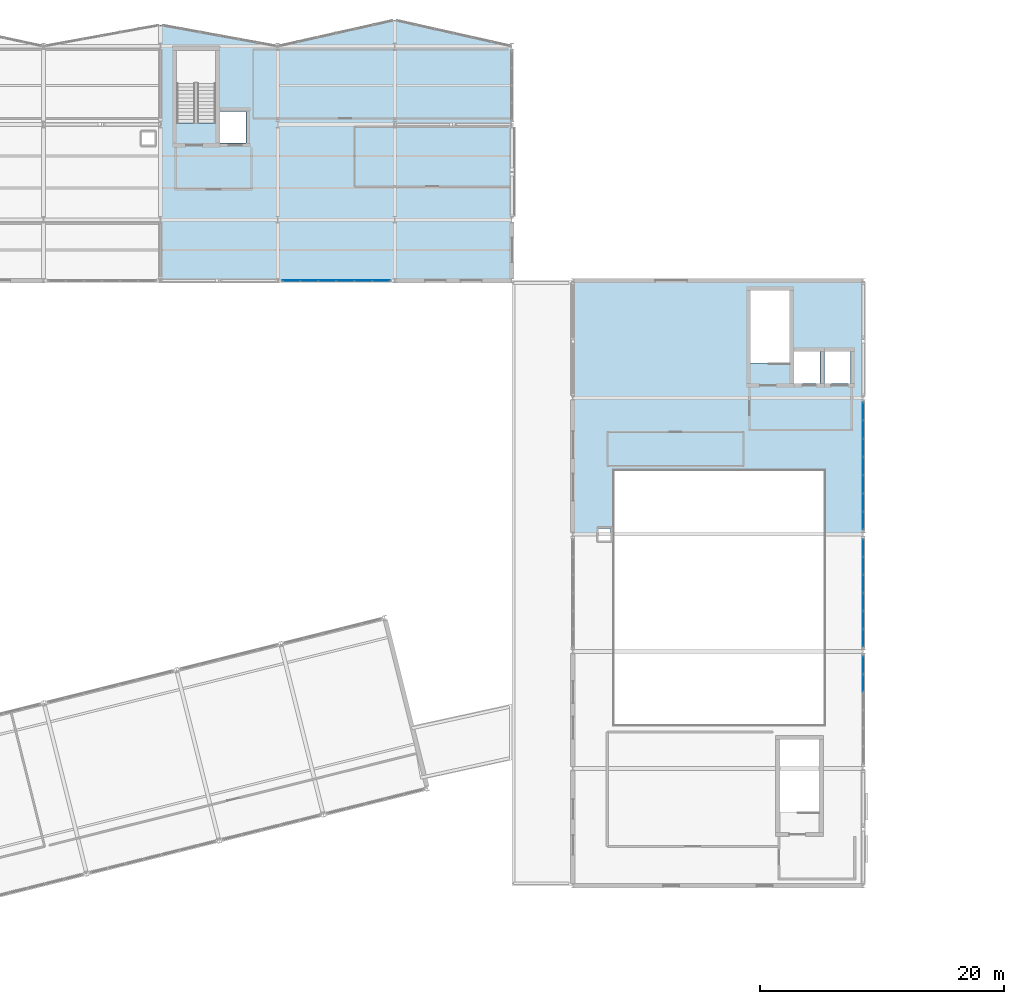
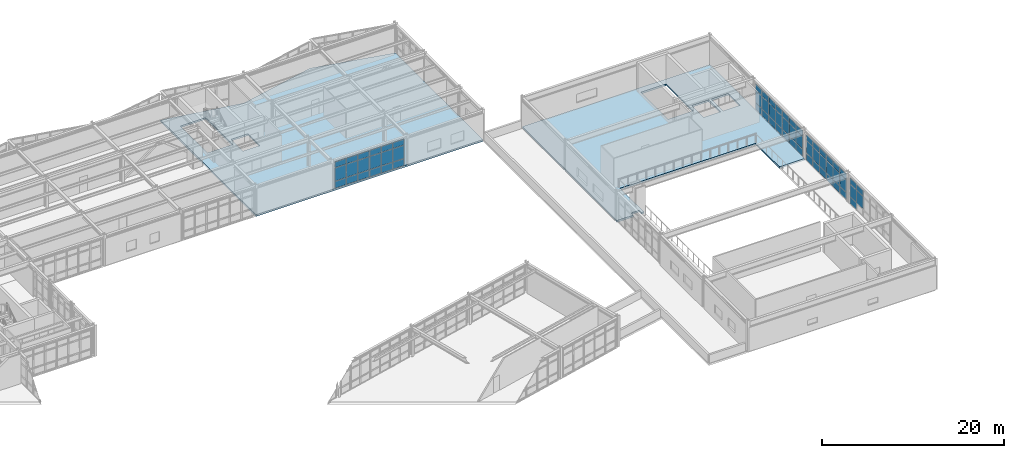
# One storey, part 55 of 76: 62 plates, 2 slabs, 4 elements without a shape of their own.
"""IFC4 building model written with IfcOpenShell, lengths in metres."""

from ifc_helpers import new_model, si_unit, direction, frame, origin, origin_2d, place, context, subcontext, project, spatial, polyline, rectangle, outline, extrude, material, layer, layer_set, type_object, element, aggregate, save


model = new_model("IFC4")

# Units and contexts
model_context = context("Model", 3, precision=1e-05, world=origin(), true_north=direction((0.0, 1.0)))
body_context = subcontext(model_context, "Body", "Model", "MODEL_VIEW")
ifc_project = project(units=[si_unit("LENGTHUNIT", "METRE"), si_unit("AREAUNIT", "SQUARE_METRE"), si_unit("VOLUMEUNIT", "CUBIC_METRE"), si_unit("PLANEANGLEUNIT", "RADIAN"), si_unit("MASSUNIT", "GRAM", prefix="KILO")], contexts=[model_context])

# Site, building, storey
site_placement = place(None, origin())
site = spatial("IfcSite", under=ifc_project, at=site_placement, CompositionType="ELEMENT")
building_placement = place(site_placement, origin())
building = spatial("IfcBuilding", under=site, at=building_placement, Name="Nordkorset Police Headquarters", CompositionType="ELEMENT")
storey_placement = place(building_placement, frame((0.0, 0.0, 13.64990234375)))
storey = spatial("IfcBuildingStorey", under=building, at=storey_placement, Name="L03", CompositionType="ELEMENT", Elevation=13.64990234375)

# Curtain wall, plates
ifc_material_1 = material(Name="Aluminium alloy AW-6060", Category="aluminium")
ifc_layer_1 = layer(ifc_material_1, 0.179931640625, Name="Aluminium alloy AW-6060")
ifc_layer_set_1 = layer_set([ifc_layer_1], Name="Aluminium alloy AW-6060")
curtain_wall_type_1 = type_object("IfcCurtainWallType", Name="CW_Unit_888x365", PredefinedType="USERDEFINED", material=ifc_layer_set_1)
curtain_wall_1_placement = place(storey_placement, origin())
curtain_wall_1 = element("IfcCurtainWall", 1, at=curtain_wall_1_placement, inside=storey, type_object=curtain_wall_type_1, Name="Unitised Curtain Wall L03 V2S-4", ObjectType="UNITISED CURTAIN WALL", PredefinedType="USERDEFINED")
ifc_material_2 = material(Name="Low-iron triple glazing", Category="glass")
ifc_layer_2 = layer(ifc_material_2, 0.035888671875, Name="Low-iron triple glazing")
ifc_layer_set_2 = layer_set([ifc_layer_2], Name="Low-iron triple glazing")
plate_type = type_object("IfcPlateType", Name="CW_Panel_TripleGlazing_36", PredefinedType="CURTAIN_PANEL", material=ifc_layer_set_2)
plate_1_placement = place(storey_placement, frame((68.316162109375, 97.60009765625, 0.06494140625), z_axis=(0.0, 0.0, 1.0), x_axis=(1.0, 0.0, 0.0)))
plate_1 = element("IfcPlate", 2, at=plate_1_placement, type_object=plate_type, Name="CW-26 panel 1.1", PredefinedType="CURTAIN_PANEL", context=body_context, shape_type="SweptSolid", body=[
    extrude(rectangle(XDim=1.382568359375, YDim=0.035888671875, at=origin_2d()), origin(), (0.0, 0.0, 1.0), 0.902587890625),
])
plate_2_placement = place(storey_placement, frame((68.316162109375, 97.60009765625, 1.03271484375), z_axis=(0.0, 0.0, 1.0), x_axis=(1.0, 0.0, 0.0)))
plate_2 = element("IfcPlate", 3, at=plate_2_placement, type_object=plate_type, Name="CW-26 panel 1.2", PredefinedType="CURTAIN_PANEL", context=body_context, shape_type="SweptSolid", body=[
    extrude(rectangle(XDim=1.382568359375, YDim=0.035888671875, at=origin_2d()), origin(), (0.0, 0.0, 1.0), 1.735107421875),
])
plate_3_placement = place(storey_placement, frame((68.316162109375, 97.60009765625, 2.83251953125), z_axis=(0.0, 0.0, 1.0), x_axis=(1.0, 0.0, 0.0)))
plate_3 = element("IfcPlate", 4, at=plate_3_placement, type_object=plate_type, Name="CW-26 panel 1.3", PredefinedType="CURTAIN_PANEL", context=body_context, shape_type="SweptSolid", body=[
    extrude(rectangle(XDim=1.382568359375, YDim=0.035888671875, at=origin_2d()), origin(), (0.0, 0.0, 1.0), 0.75244140625),
])
plate_4_placement = place(storey_placement, frame((69.780029296875, 97.60009765625, 0.06494140625), z_axis=(0.0, 0.0, 1.0), x_axis=(1.0, 0.0, 0.0)))
plate_4 = element("IfcPlate", 5, at=plate_4_placement, type_object=plate_type, Name="CW-26 panel 2.1", PredefinedType="CURTAIN_PANEL", context=body_context, shape_type="SweptSolid", body=[
    extrude(rectangle(XDim=1.4150390625, YDim=0.035888671875, at=origin_2d()), origin(), (0.0, 0.0, 1.0), 0.902587890625),
])
plate_5_placement = place(storey_placement, frame((69.780029296875, 97.60009765625, 1.03271484375), z_axis=(0.0, 0.0, 1.0), x_axis=(1.0, 0.0, 0.0)))
plate_5 = element("IfcPlate", 6, at=plate_5_placement, type_object=plate_type, Name="CW-26 panel 2.2", PredefinedType="CURTAIN_PANEL", context=body_context, shape_type="SweptSolid", body=[
    extrude(rectangle(XDim=1.4150390625, YDim=0.035888671875, at=origin_2d()), origin(), (0.0, 0.0, 1.0), 1.735107421875),
])
plate_6_placement = place(storey_placement, frame((69.780029296875, 97.60009765625, 2.83251953125), z_axis=(0.0, 0.0, 1.0), x_axis=(1.0, 0.0, 0.0)))
plate_6 = element("IfcPlate", 7, at=plate_6_placement, type_object=plate_type, Name="CW-26 panel 2.3", PredefinedType="CURTAIN_PANEL", context=body_context, shape_type="SweptSolid", body=[
    extrude(rectangle(XDim=1.4150390625, YDim=0.035888671875, at=origin_2d()), origin(), (0.0, 0.0, 1.0), 0.75244140625),
])
plate_7_placement = place(storey_placement, frame((71.260009765625, 97.60009765625, 0.06494140625), z_axis=(0.0, 0.0, 1.0), x_axis=(1.0, 0.0, 0.0)))
plate_7 = element("IfcPlate", 8, at=plate_7_placement, type_object=plate_type, Name="CW-26 panel 3.1", PredefinedType="CURTAIN_PANEL", context=body_context, shape_type="SweptSolid", body=[
    extrude(rectangle(XDim=1.4150390625, YDim=0.035888671875, at=origin_2d()), origin(), (0.0, 0.0, 1.0), 0.902587890625),
])
plate_8_placement = place(storey_placement, frame((71.260009765625, 97.60009765625, 1.03271484375), z_axis=(0.0, 0.0, 1.0), x_axis=(1.0, 0.0, 0.0)))
plate_8 = element("IfcPlate", 9, at=plate_8_placement, type_object=plate_type, Name="CW-26 panel 3.2", PredefinedType="CURTAIN_PANEL", context=body_context, shape_type="SweptSolid", body=[
    extrude(rectangle(XDim=1.4150390625, YDim=0.035888671875, at=origin_2d()), origin(), (0.0, 0.0, 1.0), 1.735107421875),
])
plate_9_placement = place(storey_placement, frame((71.260009765625, 97.60009765625, 2.83251953125), z_axis=(0.0, 0.0, 1.0), x_axis=(1.0, 0.0, 0.0)))
plate_9 = element("IfcPlate", 10, at=plate_9_placement, type_object=plate_type, Name="CW-26 panel 3.3", PredefinedType="CURTAIN_PANEL", context=body_context, shape_type="SweptSolid", body=[
    extrude(rectangle(XDim=1.4150390625, YDim=0.035888671875, at=origin_2d()), origin(), (0.0, 0.0, 1.0), 0.75244140625),
])
plate_10_placement = place(storey_placement, frame((72.739990234375, 97.60009765625, 0.06494140625), z_axis=(0.0, 0.0, 1.0), x_axis=(1.0, 0.0, 0.0)))
plate_10 = element("IfcPlate", 11, at=plate_10_placement, type_object=plate_type, Name="CW-26 panel 4.1", PredefinedType="CURTAIN_PANEL", context=body_context, shape_type="SweptSolid", body=[
    extrude(rectangle(XDim=1.4150390625, YDim=0.035888671875, at=origin_2d()), origin(), (0.0, 0.0, 1.0), 0.902587890625),
])
plate_11_placement = place(storey_placement, frame((72.739990234375, 97.60009765625, 1.03271484375), z_axis=(0.0, 0.0, 1.0), x_axis=(1.0, 0.0, 0.0)))
plate_11 = element("IfcPlate", 12, at=plate_11_placement, type_object=plate_type, Name="CW-26 panel 4.2", PredefinedType="CURTAIN_PANEL", context=body_context, shape_type="SweptSolid", body=[
    extrude(rectangle(XDim=1.4150390625, YDim=0.035888671875, at=origin_2d()), origin(), (0.0, 0.0, 1.0), 1.735107421875),
])
plate_12_placement = place(storey_placement, frame((72.739990234375, 97.60009765625, 2.83251953125), z_axis=(0.0, 0.0, 1.0), x_axis=(1.0, 0.0, 0.0)))
plate_12 = element("IfcPlate", 13, at=plate_12_placement, type_object=plate_type, Name="CW-26 panel 4.3", PredefinedType="CURTAIN_PANEL", context=body_context, shape_type="SweptSolid", body=[
    extrude(rectangle(XDim=1.4150390625, YDim=0.035888671875, at=origin_2d()), origin(), (0.0, 0.0, 1.0), 0.75244140625),
])
plate_13_placement = place(storey_placement, frame((74.219970703125, 97.60009765625, 0.06494140625), z_axis=(0.0, 0.0, 1.0), x_axis=(1.0, 0.0, 0.0)))
plate_13 = element("IfcPlate", 14, at=plate_13_placement, type_object=plate_type, Name="CW-26 panel 5.1", PredefinedType="CURTAIN_PANEL", context=body_context, shape_type="SweptSolid", body=[
    extrude(rectangle(XDim=1.4150390625, YDim=0.035888671875, at=origin_2d()), origin(), (0.0, 0.0, 1.0), 0.902587890625),
])
plate_14_placement = place(storey_placement, frame((74.219970703125, 97.60009765625, 1.03271484375), z_axis=(0.0, 0.0, 1.0), x_axis=(1.0, 0.0, 0.0)))
plate_14 = element("IfcPlate", 15, at=plate_14_placement, type_object=plate_type, Name="CW-26 panel 5.2", PredefinedType="CURTAIN_PANEL", context=body_context, shape_type="SweptSolid", body=[
    extrude(rectangle(XDim=1.4150390625, YDim=0.035888671875, at=origin_2d()), origin(), (0.0, 0.0, 1.0), 1.735107421875),
])
plate_15_placement = place(storey_placement, frame((74.219970703125, 97.60009765625, 2.83251953125), z_axis=(0.0, 0.0, 1.0), x_axis=(1.0, 0.0, 0.0)))
plate_15 = element("IfcPlate", 16, at=plate_15_placement, type_object=plate_type, Name="CW-26 panel 5.3", PredefinedType="CURTAIN_PANEL", context=body_context, shape_type="SweptSolid", body=[
    extrude(rectangle(XDim=1.4150390625, YDim=0.035888671875, at=origin_2d()), origin(), (0.0, 0.0, 1.0), 0.75244140625),
])
plate_16_placement = place(storey_placement, frame((75.683837890625, 97.60009765625, 0.06494140625), z_axis=(0.0, 0.0, 1.0), x_axis=(1.0, 0.0, 0.0)))
plate_16 = element("IfcPlate", 17, at=plate_16_placement, type_object=plate_type, Name="CW-26 panel 6.1", PredefinedType="CURTAIN_PANEL", context=body_context, shape_type="SweptSolid", body=[
    extrude(rectangle(XDim=1.382568359375, YDim=0.035888671875, at=origin_2d()), origin(), (0.0, 0.0, 1.0), 0.902587890625),
])
plate_17_placement = place(storey_placement, frame((75.683837890625, 97.60009765625, 1.03271484375), z_axis=(0.0, 0.0, 1.0), x_axis=(1.0, 0.0, 0.0)))
plate_17 = element("IfcPlate", 18, at=plate_17_placement, type_object=plate_type, Name="CW-26 panel 6.2", PredefinedType="CURTAIN_PANEL", context=body_context, shape_type="SweptSolid", body=[
    extrude(rectangle(XDim=1.382568359375, YDim=0.035888671875, at=origin_2d()), origin(), (0.0, 0.0, 1.0), 1.735107421875),
])
plate_18_placement = place(storey_placement, frame((75.683837890625, 97.60009765625, 2.83251953125), z_axis=(0.0, 0.0, 1.0), x_axis=(1.0, 0.0, 0.0)))
plate_18 = element("IfcPlate", 19, at=plate_18_placement, type_object=plate_type, Name="CW-26 panel 6.3", PredefinedType="CURTAIN_PANEL", context=body_context, shape_type="SweptSolid", body=[
    extrude(rectangle(XDim=1.382568359375, YDim=0.035888671875, at=origin_2d()), origin(), (0.0, 0.0, 1.0), 0.75244140625),
])
aggregate(curtain_wall_1, [plate_1, plate_2, plate_3, plate_4, plate_5, plate_6, plate_7, plate_8, plate_9, plate_10, plate_11, plate_12, plate_13, plate_14, plate_15, plate_16, plate_17, plate_18])

ifc_material_3 = material(Name="Aluminium alloy AW-6060", Category="aluminium")
ifc_layer_3 = layer(ifc_material_3, 0.179931640625, Name="Aluminium alloy AW-6060")
ifc_layer_set_3 = layer_set([ifc_layer_3], Name="Aluminium alloy AW-6060")
curtain_wall_type_2 = type_object("IfcCurtainWallType", Name="CW_Unit_888x356", PredefinedType="USERDEFINED", material=ifc_layer_set_3)
curtain_wall_2_placement = place(storey_placement, origin())
curtain_wall_2 = element("IfcCurtainWall", 20, at=curtain_wall_2_placement, inside=storey, type_object=curtain_wall_type_2, Name="Unitised Curtain Wall L03 V5E-1", ObjectType="UNITISED CURTAIN WALL", PredefinedType="USERDEFINED")
plate_19_placement = place(storey_placement, frame((115.199951171875, 64.6201171875, 1.03271484375), z_axis=(0.0, 0.0, 1.0), x_axis=(0.0, 1.0, 0.0)))
plate_19 = element("IfcPlate", 21, at=plate_19_placement, type_object=plate_type, Name="CW-109 panel 5.2", PredefinedType="CURTAIN_PANEL", context=body_context, shape_type="SweptSolid", body=[
    extrude(rectangle(XDim=1.4150390625, YDim=0.035888671875, at=origin_2d()), origin(), (0.0, 0.0, 1.0), 1.64990234375),
])
plate_20_placement = place(storey_placement, frame((115.199951171875, 64.6201171875, 2.74755859375), z_axis=(0.0, 0.0, 1.0), x_axis=(0.0, 1.0, 0.0)))
plate_20 = element("IfcPlate", 22, at=plate_20_placement, type_object=plate_type, Name="CW-109 panel 5.3", PredefinedType="CURTAIN_PANEL", context=body_context, shape_type="SweptSolid", body=[
    extrude(rectangle(XDim=1.4150390625, YDim=0.035888671875, at=origin_2d()), origin(), (0.0, 0.0, 1.0), 0.75244140625),
])
plate_21_placement = place(storey_placement, frame((115.199951171875, 66.083740234375, 0.06494140625), z_axis=(0.0, 0.0, 1.0), x_axis=(0.0, 1.0, 0.0)))
plate_21 = element("IfcPlate", 23, at=plate_21_placement, type_object=plate_type, Name="CW-109 panel 6.1", PredefinedType="CURTAIN_PANEL", context=body_context, shape_type="SweptSolid", body=[
    extrude(rectangle(XDim=1.382568359375, YDim=0.035888671875, at=origin_2d()), origin(), (0.0, 0.0, 1.0), 0.902587890625),
])
plate_22_placement = place(storey_placement, frame((115.199951171875, 66.083740234375, 1.03271484375), z_axis=(0.0, 0.0, 1.0), x_axis=(0.0, 1.0, 0.0)))
plate_22 = element("IfcPlate", 24, at=plate_22_placement, type_object=plate_type, Name="CW-109 panel 6.2", PredefinedType="CURTAIN_PANEL", context=body_context, shape_type="SweptSolid", body=[
    extrude(rectangle(XDim=1.382568359375, YDim=0.035888671875, at=origin_2d()), origin(), (0.0, 0.0, 1.0), 1.64990234375),
])
plate_23_placement = place(storey_placement, frame((115.199951171875, 66.083740234375, 2.74755859375), z_axis=(0.0, 0.0, 1.0), x_axis=(0.0, 1.0, 0.0)))
plate_23 = element("IfcPlate", 25, at=plate_23_placement, type_object=plate_type, Name="CW-109 panel 6.3", PredefinedType="CURTAIN_PANEL", context=body_context, shape_type="SweptSolid", body=[
    extrude(rectangle(XDim=1.382568359375, YDim=0.035888671875, at=origin_2d()), origin(), (0.0, 0.0, 1.0), 0.75244140625),
])
aggregate(curtain_wall_2, [plate_19, plate_20, plate_21, plate_22, plate_23])

curtain_wall_3_placement = place(storey_placement, origin())
curtain_wall_3 = element("IfcCurtainWall", 26, at=curtain_wall_3_placement, inside=storey, type_object=curtain_wall_type_2, Name="Unitised Curtain Wall L03 V5E-2", ObjectType="UNITISED CURTAIN WALL", PredefinedType="USERDEFINED")
plate_24_placement = place(storey_placement, frame((115.199951171875, 68.316162109375, 0.06494140625), z_axis=(0.0, 0.0, 1.0), x_axis=(0.0, 1.0, 0.0)))
plate_24 = element("IfcPlate", 27, at=plate_24_placement, type_object=plate_type, Name="CW-109 panel 1.1", PredefinedType="CURTAIN_PANEL", context=body_context, shape_type="SweptSolid", body=[
    extrude(rectangle(XDim=1.382568359375, YDim=0.035888671875, at=origin_2d()), origin(), (0.0, 0.0, 1.0), 0.902587890625),
])
plate_25_placement = place(storey_placement, frame((115.199951171875, 68.316162109375, 1.03271484375), z_axis=(0.0, 0.0, 1.0), x_axis=(0.0, 1.0, 0.0)))
plate_25 = element("IfcPlate", 28, at=plate_25_placement, type_object=plate_type, Name="CW-109 panel 1.2", PredefinedType="CURTAIN_PANEL", context=body_context, shape_type="SweptSolid", body=[
    extrude(rectangle(XDim=1.382568359375, YDim=0.035888671875, at=origin_2d()), origin(), (0.0, 0.0, 1.0), 1.64990234375),
])
plate_26_placement = place(storey_placement, frame((115.199951171875, 68.316162109375, 2.74755859375), z_axis=(0.0, 0.0, 1.0), x_axis=(0.0, 1.0, 0.0)))
plate_26 = element("IfcPlate", 29, at=plate_26_placement, type_object=plate_type, Name="CW-109 panel 1.3", PredefinedType="CURTAIN_PANEL", context=body_context, shape_type="SweptSolid", body=[
    extrude(rectangle(XDim=1.382568359375, YDim=0.035888671875, at=origin_2d()), origin(), (0.0, 0.0, 1.0), 0.75244140625),
])
plate_27_placement = place(storey_placement, frame((115.199951171875, 69.780029296875, 0.06494140625), z_axis=(0.0, 0.0, 1.0), x_axis=(0.0, 1.0, 0.0)))
plate_27 = element("IfcPlate", 30, at=plate_27_placement, type_object=plate_type, Name="CW-109 panel 2.1", PredefinedType="CURTAIN_PANEL", context=body_context, shape_type="SweptSolid", body=[
    extrude(rectangle(XDim=1.4150390625, YDim=0.035888671875, at=origin_2d()), origin(), (0.0, 0.0, 1.0), 0.902587890625),
])
plate_28_placement = place(storey_placement, frame((115.199951171875, 69.780029296875, 1.03271484375), z_axis=(0.0, 0.0, 1.0), x_axis=(0.0, 1.0, 0.0)))
plate_28 = element("IfcPlate", 31, at=plate_28_placement, type_object=plate_type, Name="CW-109 panel 2.2", PredefinedType="CURTAIN_PANEL", context=body_context, shape_type="SweptSolid", body=[
    extrude(rectangle(XDim=1.4150390625, YDim=0.035888671875, at=origin_2d()), origin(), (0.0, 0.0, 1.0), 1.64990234375),
])
plate_29_placement = place(storey_placement, frame((115.199951171875, 69.780029296875, 2.74755859375), z_axis=(0.0, 0.0, 1.0), x_axis=(0.0, 1.0, 0.0)))
plate_29 = element("IfcPlate", 32, at=plate_29_placement, type_object=plate_type, Name="CW-109 panel 2.3", PredefinedType="CURTAIN_PANEL", context=body_context, shape_type="SweptSolid", body=[
    extrude(rectangle(XDim=1.4150390625, YDim=0.035888671875, at=origin_2d()), origin(), (0.0, 0.0, 1.0), 0.75244140625),
])
plate_30_placement = place(storey_placement, frame((115.199951171875, 71.260009765625, 0.06494140625), z_axis=(0.0, 0.0, 1.0), x_axis=(0.0, 1.0, 0.0)))
plate_30 = element("IfcPlate", 33, at=plate_30_placement, type_object=plate_type, Name="CW-109 panel 3.1", PredefinedType="CURTAIN_PANEL", context=body_context, shape_type="SweptSolid", body=[
    extrude(rectangle(XDim=1.4150390625, YDim=0.035888671875, at=origin_2d()), origin(), (0.0, 0.0, 1.0), 0.902587890625),
])
plate_31_placement = place(storey_placement, frame((115.199951171875, 71.260009765625, 1.03271484375), z_axis=(0.0, 0.0, 1.0), x_axis=(0.0, 1.0, 0.0)))
plate_31 = element("IfcPlate", 34, at=plate_31_placement, type_object=plate_type, Name="CW-109 panel 3.2", PredefinedType="CURTAIN_PANEL", context=body_context, shape_type="SweptSolid", body=[
    extrude(rectangle(XDim=1.4150390625, YDim=0.035888671875, at=origin_2d()), origin(), (0.0, 0.0, 1.0), 1.64990234375),
])
plate_32_placement = place(storey_placement, frame((115.199951171875, 71.260009765625, 2.74755859375), z_axis=(0.0, 0.0, 1.0), x_axis=(0.0, 1.0, 0.0)))
plate_32 = element("IfcPlate", 35, at=plate_32_placement, type_object=plate_type, Name="CW-109 panel 3.3", PredefinedType="CURTAIN_PANEL", context=body_context, shape_type="SweptSolid", body=[
    extrude(rectangle(XDim=1.4150390625, YDim=0.035888671875, at=origin_2d()), origin(), (0.0, 0.0, 1.0), 0.75244140625),
])
plate_33_placement = place(storey_placement, frame((115.199951171875, 72.739990234375, 0.06494140625), z_axis=(0.0, 0.0, 1.0), x_axis=(0.0, 1.0, 0.0)))
plate_33 = element("IfcPlate", 36, at=plate_33_placement, type_object=plate_type, Name="CW-109 panel 4.1", PredefinedType="CURTAIN_PANEL", context=body_context, shape_type="SweptSolid", body=[
    extrude(rectangle(XDim=1.4150390625, YDim=0.035888671875, at=origin_2d()), origin(), (0.0, 0.0, 1.0), 0.902587890625),
])
plate_34_placement = place(storey_placement, frame((115.199951171875, 72.739990234375, 1.03271484375), z_axis=(0.0, 0.0, 1.0), x_axis=(0.0, 1.0, 0.0)))
plate_34 = element("IfcPlate", 37, at=plate_34_placement, type_object=plate_type, Name="CW-109 panel 4.2", PredefinedType="CURTAIN_PANEL", context=body_context, shape_type="SweptSolid", body=[
    extrude(rectangle(XDim=1.4150390625, YDim=0.035888671875, at=origin_2d()), origin(), (0.0, 0.0, 1.0), 1.64990234375),
])
plate_35_placement = place(storey_placement, frame((115.199951171875, 72.739990234375, 2.74755859375), z_axis=(0.0, 0.0, 1.0), x_axis=(0.0, 1.0, 0.0)))
plate_35 = element("IfcPlate", 38, at=plate_35_placement, type_object=plate_type, Name="CW-109 panel 4.3", PredefinedType="CURTAIN_PANEL", context=body_context, shape_type="SweptSolid", body=[
    extrude(rectangle(XDim=1.4150390625, YDim=0.035888671875, at=origin_2d()), origin(), (0.0, 0.0, 1.0), 0.75244140625),
])
plate_36_placement = place(storey_placement, frame((115.199951171875, 74.219970703125, 0.06494140625), z_axis=(0.0, 0.0, 1.0), x_axis=(0.0, 1.0, 0.0)))
plate_36 = element("IfcPlate", 39, at=plate_36_placement, type_object=plate_type, Name="CW-109 panel 5.1", PredefinedType="CURTAIN_PANEL", context=body_context, shape_type="SweptSolid", body=[
    extrude(rectangle(XDim=1.4150390625, YDim=0.035888671875, at=origin_2d()), origin(), (0.0, 0.0, 1.0), 0.902587890625),
])
plate_37_placement = place(storey_placement, frame((115.199951171875, 74.219970703125, 1.03271484375), z_axis=(0.0, 0.0, 1.0), x_axis=(0.0, 1.0, 0.0)))
plate_37 = element("IfcPlate", 40, at=plate_37_placement, type_object=plate_type, Name="CW-109 panel 5.2", PredefinedType="CURTAIN_PANEL", context=body_context, shape_type="SweptSolid", body=[
    extrude(rectangle(XDim=1.4150390625, YDim=0.035888671875, at=origin_2d()), origin(), (0.0, 0.0, 1.0), 1.64990234375),
])
plate_38_placement = place(storey_placement, frame((115.199951171875, 74.219970703125, 2.74755859375), z_axis=(0.0, 0.0, 1.0), x_axis=(0.0, 1.0, 0.0)))
plate_38 = element("IfcPlate", 41, at=plate_38_placement, type_object=plate_type, Name="CW-109 panel 5.3", PredefinedType="CURTAIN_PANEL", context=body_context, shape_type="SweptSolid", body=[
    extrude(rectangle(XDim=1.4150390625, YDim=0.035888671875, at=origin_2d()), origin(), (0.0, 0.0, 1.0), 0.75244140625),
])
plate_39_placement = place(storey_placement, frame((115.199951171875, 75.683837890625, 0.06494140625), z_axis=(0.0, 0.0, 1.0), x_axis=(0.0, 1.0, 0.0)))
plate_39 = element("IfcPlate", 42, at=plate_39_placement, type_object=plate_type, Name="CW-109 panel 6.1", PredefinedType="CURTAIN_PANEL", context=body_context, shape_type="SweptSolid", body=[
    extrude(rectangle(XDim=1.382568359375, YDim=0.035888671875, at=origin_2d()), origin(), (0.0, 0.0, 1.0), 0.902587890625),
])
plate_40_placement = place(storey_placement, frame((115.199951171875, 75.683837890625, 1.03271484375), z_axis=(0.0, 0.0, 1.0), x_axis=(0.0, 1.0, 0.0)))
plate_40 = element("IfcPlate", 43, at=plate_40_placement, type_object=plate_type, Name="CW-109 panel 6.2", PredefinedType="CURTAIN_PANEL", context=body_context, shape_type="SweptSolid", body=[
    extrude(rectangle(XDim=1.382568359375, YDim=0.035888671875, at=origin_2d()), origin(), (0.0, 0.0, 1.0), 1.64990234375),
])
plate_41_placement = place(storey_placement, frame((115.199951171875, 75.683837890625, 2.74755859375), z_axis=(0.0, 0.0, 1.0), x_axis=(0.0, 1.0, 0.0)))
plate_41 = element("IfcPlate", 44, at=plate_41_placement, type_object=plate_type, Name="CW-109 panel 6.3", PredefinedType="CURTAIN_PANEL", context=body_context, shape_type="SweptSolid", body=[
    extrude(rectangle(XDim=1.382568359375, YDim=0.035888671875, at=origin_2d()), origin(), (0.0, 0.0, 1.0), 0.75244140625),
])
aggregate(curtain_wall_3, [plate_24, plate_25, plate_26, plate_27, plate_28, plate_29, plate_30, plate_31, plate_32, plate_33, plate_34, plate_35, plate_36, plate_37, plate_38, plate_39, plate_40, plate_41])

ifc_material_4 = material(Name="Aluminium alloy AW-6060", Category="aluminium")
ifc_layer_4 = layer(ifc_material_4, 0.179931640625, Name="Aluminium alloy AW-6060")
ifc_layer_set_4 = layer_set([ifc_layer_4], Name="Aluminium alloy AW-6060")
curtain_wall_type_3 = type_object("IfcCurtainWallType", Name="CW_Unit_1048x356", PredefinedType="USERDEFINED", material=ifc_layer_set_4)
curtain_wall_4_placement = place(storey_placement, origin())
curtain_wall_4 = element("IfcCurtainWall", 45, at=curtain_wall_4_placement, inside=storey, type_object=curtain_wall_type_3, Name="Unitised Curtain Wall L03 V5E-3", ObjectType="UNITISED CURTAIN WALL", PredefinedType="USERDEFINED")
plate_42_placement = place(storey_placement, frame((115.199951171875, 77.9248046875, 0.06494140625), z_axis=(0.0, 0.0, 1.0), x_axis=(0.0, 1.0, 0.0)))
plate_42 = element("IfcPlate", 46, at=plate_42_placement, type_object=plate_type, Name="CW-26 panel 1.1", PredefinedType="CURTAIN_PANEL", context=body_context, shape_type="SweptSolid", body=[
    extrude(rectangle(XDim=1.399658203125, YDim=0.035888671875, at=origin_2d()), origin(), (0.0, 0.0, 1.0), 0.902587890625),
])
plate_43_placement = place(storey_placement, frame((115.199951171875, 77.9248046875, 1.03271484375), z_axis=(0.0, 0.0, 1.0), x_axis=(0.0, 1.0, 0.0)))
plate_43 = element("IfcPlate", 47, at=plate_43_placement, type_object=plate_type, Name="CW-26 panel 1.2", PredefinedType="CURTAIN_PANEL", context=body_context, shape_type="SweptSolid", body=[
    extrude(rectangle(XDim=1.399658203125, YDim=0.035888671875, at=origin_2d()), origin(), (0.0, 0.0, 1.0), 1.64990234375),
])
plate_44_placement = place(storey_placement, frame((115.199951171875, 77.9248046875, 2.74755859375), z_axis=(0.0, 0.0, 1.0), x_axis=(0.0, 1.0, 0.0)))
plate_44 = element("IfcPlate", 48, at=plate_44_placement, type_object=plate_type, Name="CW-26 panel 1.3", PredefinedType="CURTAIN_PANEL", context=body_context, shape_type="SweptSolid", body=[
    extrude(rectangle(XDim=1.399658203125, YDim=0.035888671875, at=origin_2d()), origin(), (0.0, 0.0, 1.0), 0.75244140625),
])
plate_45_placement = place(storey_placement, frame((115.199951171875, 79.40576171875, 0.06494140625), z_axis=(0.0, 0.0, 1.0), x_axis=(0.0, 1.0, 0.0)))
plate_45 = element("IfcPlate", 49, at=plate_45_placement, type_object=plate_type, Name="CW-26 panel 2.1", PredefinedType="CURTAIN_PANEL", context=body_context, shape_type="SweptSolid", body=[
    extrude(rectangle(XDim=1.43212890625, YDim=0.035888671875, at=origin_2d()), origin(), (0.0, 0.0, 1.0), 0.902587890625),
])
plate_46_placement = place(storey_placement, frame((115.199951171875, 79.40576171875, 1.03271484375), z_axis=(0.0, 0.0, 1.0), x_axis=(0.0, 1.0, 0.0)))
plate_46 = element("IfcPlate", 50, at=plate_46_placement, type_object=plate_type, Name="CW-26 panel 2.2", PredefinedType="CURTAIN_PANEL", context=body_context, shape_type="SweptSolid", body=[
    extrude(rectangle(XDim=1.43212890625, YDim=0.035888671875, at=origin_2d()), origin(), (0.0, 0.0, 1.0), 1.64990234375),
])
plate_47_placement = place(storey_placement, frame((115.199951171875, 79.40576171875, 2.74755859375), z_axis=(0.0, 0.0, 1.0), x_axis=(0.0, 1.0, 0.0)))
plate_47 = element("IfcPlate", 51, at=plate_47_placement, type_object=plate_type, Name="CW-26 panel 2.3", PredefinedType="CURTAIN_PANEL", context=body_context, shape_type="SweptSolid", body=[
    extrude(rectangle(XDim=1.43212890625, YDim=0.035888671875, at=origin_2d()), origin(), (0.0, 0.0, 1.0), 0.75244140625),
])
plate_48_placement = place(storey_placement, frame((115.199951171875, 80.90283203125, 0.06494140625), z_axis=(0.0, 0.0, 1.0), x_axis=(0.0, 1.0, 0.0)))
plate_48 = element("IfcPlate", 52, at=plate_48_placement, type_object=plate_type, Name="CW-26 panel 3.1", PredefinedType="CURTAIN_PANEL", context=body_context, shape_type="SweptSolid", body=[
    extrude(rectangle(XDim=1.43212890625, YDim=0.035888671875, at=origin_2d()), origin(), (0.0, 0.0, 1.0), 0.902587890625),
])
plate_49_placement = place(storey_placement, frame((115.199951171875, 80.90283203125, 1.03271484375), z_axis=(0.0, 0.0, 1.0), x_axis=(0.0, 1.0, 0.0)))
plate_49 = element("IfcPlate", 53, at=plate_49_placement, type_object=plate_type, Name="CW-26 panel 3.2", PredefinedType="CURTAIN_PANEL", context=body_context, shape_type="SweptSolid", body=[
    extrude(rectangle(XDim=1.43212890625, YDim=0.035888671875, at=origin_2d()), origin(), (0.0, 0.0, 1.0), 1.64990234375),
])
plate_50_placement = place(storey_placement, frame((115.199951171875, 80.90283203125, 2.74755859375), z_axis=(0.0, 0.0, 1.0), x_axis=(0.0, 1.0, 0.0)))
plate_50 = element("IfcPlate", 54, at=plate_50_placement, type_object=plate_type, Name="CW-26 panel 3.3", PredefinedType="CURTAIN_PANEL", context=body_context, shape_type="SweptSolid", body=[
    extrude(rectangle(XDim=1.43212890625, YDim=0.035888671875, at=origin_2d()), origin(), (0.0, 0.0, 1.0), 0.75244140625),
])
plate_51_placement = place(storey_placement, frame((115.199951171875, 82.39990234375, 0.06494140625), z_axis=(0.0, 0.0, 1.0), x_axis=(0.0, 1.0, 0.0)))
plate_51 = element("IfcPlate", 55, at=plate_51_placement, type_object=plate_type, Name="CW-26 panel 4.1", PredefinedType="CURTAIN_PANEL", context=body_context, shape_type="SweptSolid", body=[
    extrude(rectangle(XDim=1.43212890625, YDim=0.035888671875, at=origin_2d()), origin(), (0.0, 0.0, 1.0), 0.902587890625),
])
plate_52_placement = place(storey_placement, frame((115.199951171875, 82.39990234375, 1.03271484375), z_axis=(0.0, 0.0, 1.0), x_axis=(0.0, 1.0, 0.0)))
plate_52 = element("IfcPlate", 56, at=plate_52_placement, type_object=plate_type, Name="CW-26 panel 4.2", PredefinedType="CURTAIN_PANEL", context=body_context, shape_type="SweptSolid", body=[
    extrude(rectangle(XDim=1.43212890625, YDim=0.035888671875, at=origin_2d()), origin(), (0.0, 0.0, 1.0), 1.64990234375),
])
plate_53_placement = place(storey_placement, frame((115.199951171875, 82.39990234375, 2.74755859375), z_axis=(0.0, 0.0, 1.0), x_axis=(0.0, 1.0, 0.0)))
plate_53 = element("IfcPlate", 57, at=plate_53_placement, type_object=plate_type, Name="CW-26 panel 4.3", PredefinedType="CURTAIN_PANEL", context=body_context, shape_type="SweptSolid", body=[
    extrude(rectangle(XDim=1.43212890625, YDim=0.035888671875, at=origin_2d()), origin(), (0.0, 0.0, 1.0), 0.75244140625),
])
plate_54_placement = place(storey_placement, frame((115.199951171875, 83.897216796875, 0.06494140625), z_axis=(0.0, 0.0, 1.0), x_axis=(0.0, 1.0, 0.0)))
plate_54 = element("IfcPlate", 58, at=plate_54_placement, type_object=plate_type, Name="CW-26 panel 5.1", PredefinedType="CURTAIN_PANEL", context=body_context, shape_type="SweptSolid", body=[
    extrude(rectangle(XDim=1.43212890625, YDim=0.035888671875, at=origin_2d()), origin(), (0.0, 0.0, 1.0), 0.902587890625),
])
plate_55_placement = place(storey_placement, frame((115.199951171875, 83.897216796875, 1.03271484375), z_axis=(0.0, 0.0, 1.0), x_axis=(0.0, 1.0, 0.0)))
plate_55 = element("IfcPlate", 59, at=plate_55_placement, type_object=plate_type, Name="CW-26 panel 5.2", PredefinedType="CURTAIN_PANEL", context=body_context, shape_type="SweptSolid", body=[
    extrude(rectangle(XDim=1.43212890625, YDim=0.035888671875, at=origin_2d()), origin(), (0.0, 0.0, 1.0), 1.64990234375),
])
plate_56_placement = place(storey_placement, frame((115.199951171875, 83.897216796875, 2.74755859375), z_axis=(0.0, 0.0, 1.0), x_axis=(0.0, 1.0, 0.0)))
plate_56 = element("IfcPlate", 60, at=plate_56_placement, type_object=plate_type, Name="CW-26 panel 5.3", PredefinedType="CURTAIN_PANEL", context=body_context, shape_type="SweptSolid", body=[
    extrude(rectangle(XDim=1.43212890625, YDim=0.035888671875, at=origin_2d()), origin(), (0.0, 0.0, 1.0), 0.75244140625),
])
plate_57_placement = place(storey_placement, frame((115.199951171875, 85.394287109375, 0.06494140625), z_axis=(0.0, 0.0, 1.0), x_axis=(0.0, 1.0, 0.0)))
plate_57 = element("IfcPlate", 61, at=plate_57_placement, type_object=plate_type, Name="CW-26 panel 6.1", PredefinedType="CURTAIN_PANEL", context=body_context, shape_type="SweptSolid", body=[
    extrude(rectangle(XDim=1.43212890625, YDim=0.035888671875, at=origin_2d()), origin(), (0.0, 0.0, 1.0), 0.902587890625),
])
plate_58_placement = place(storey_placement, frame((115.199951171875, 85.394287109375, 1.03271484375), z_axis=(0.0, 0.0, 1.0), x_axis=(0.0, 1.0, 0.0)))
plate_58 = element("IfcPlate", 62, at=plate_58_placement, type_object=plate_type, Name="CW-26 panel 6.2", PredefinedType="CURTAIN_PANEL", context=body_context, shape_type="SweptSolid", body=[
    extrude(rectangle(XDim=1.43212890625, YDim=0.035888671875, at=origin_2d()), origin(), (0.0, 0.0, 1.0), 1.64990234375),
])
plate_59_placement = place(storey_placement, frame((115.199951171875, 85.394287109375, 2.74755859375), z_axis=(0.0, 0.0, 1.0), x_axis=(0.0, 1.0, 0.0)))
plate_59 = element("IfcPlate", 63, at=plate_59_placement, type_object=plate_type, Name="CW-26 panel 6.3", PredefinedType="CURTAIN_PANEL", context=body_context, shape_type="SweptSolid", body=[
    extrude(rectangle(XDim=1.43212890625, YDim=0.035888671875, at=origin_2d()), origin(), (0.0, 0.0, 1.0), 0.75244140625),
])
plate_60_placement = place(storey_placement, frame((115.199951171875, 86.875244140625, 0.06494140625), z_axis=(0.0, 0.0, 1.0), x_axis=(0.0, 1.0, 0.0)))
plate_60 = element("IfcPlate", 64, at=plate_60_placement, type_object=plate_type, Name="CW-26 panel 7.1", PredefinedType="CURTAIN_PANEL", context=body_context, shape_type="SweptSolid", body=[
    extrude(rectangle(XDim=1.399658203125, YDim=0.035888671875, at=origin_2d()), origin(), (0.0, 0.0, 1.0), 0.902587890625),
])
plate_61_placement = place(storey_placement, frame((115.199951171875, 86.875244140625, 1.03271484375), z_axis=(0.0, 0.0, 1.0), x_axis=(0.0, 1.0, 0.0)))
plate_61 = element("IfcPlate", 65, at=plate_61_placement, type_object=plate_type, Name="CW-26 panel 7.2", PredefinedType="CURTAIN_PANEL", context=body_context, shape_type="SweptSolid", body=[
    extrude(rectangle(XDim=1.399658203125, YDim=0.035888671875, at=origin_2d()), origin(), (0.0, 0.0, 1.0), 1.64990234375),
])
plate_62_placement = place(storey_placement, frame((115.199951171875, 86.875244140625, 2.74755859375), z_axis=(0.0, 0.0, 1.0), x_axis=(0.0, 1.0, 0.0)))
plate_62 = element("IfcPlate", 66, at=plate_62_placement, type_object=plate_type, Name="CW-26 panel 7.3", PredefinedType="CURTAIN_PANEL", context=body_context, shape_type="SweptSolid", body=[
    extrude(rectangle(XDim=1.399658203125, YDim=0.035888671875, at=origin_2d()), origin(), (0.0, 0.0, 1.0), 0.75244140625),
])
aggregate(curtain_wall_4, [plate_42, plate_43, plate_44, plate_45, plate_46, plate_47, plate_48, plate_49, plate_50, plate_51, plate_52, plate_53, plate_54, plate_55, plate_56, plate_57, plate_58, plate_59, plate_60, plate_61, plate_62])

# Slabs
ifc_material_5 = material(Name="Concrete C35/45", Category="concrete")
ifc_layer_5 = layer(ifc_material_5, 0.22998046875, Name="Concrete C35/45")
ifc_layer_set_5 = layer_set([ifc_layer_5], Name="Concrete C35/45")
slab_type = type_object("IfcSlabType", Name="Slab_Lab_230", PredefinedType="FLOOR", material=ifc_layer_set_5)
slab_1_placement = place(storey_placement, frame((0.0, 0.0, -0.22998046875)))
element("IfcSlab", 67, at=slab_1_placement, inside=storey, type_object=slab_type, Name="Composite Floor Slab V2 East L03", PredefinedType="FLOOR", context=body_context, shape_type="SweptSolid", body=[
    extrude(outline(polyline([(67.199951171875, 116.800048828125), (76.800048828125, 118.949951171875), (86.39990234375, 116.800048828125), (86.39990234375, 97.60009765625), (57.60205078125, 97.60009765625), (57.60205078125, 118.550048828125), (67.199951171875, 116.800048828125)]), holes=[polyline([(58.925048828125, 116.47509765625), (58.925048828125, 110.528076171875), (62.125, 110.528076171875), (62.125, 116.47509765625), (58.925048828125, 116.47509765625)]), polyline([(64.625, 111.47509765625), (62.47509765625, 111.47509765625), (62.47509765625, 108.875), (64.625, 108.875), (64.625, 111.47509765625)])]), origin(), (0.0, 0.0, 1.0), 0.22998046875),
])
slab_2_placement = place(storey_placement, frame((0.0, 0.0, -0.22998046875)))
element("IfcSlab", 68, at=slab_2_placement, inside=storey, type_object=slab_type, Name="Composite Floor Slab V5 North L03", PredefinedType="FLOOR", context=body_context, shape_type="SweptSolid", body=[
    extrude(outline(polyline([(93.5, 76.802001953125), (91.39990234375, 76.802001953125), (91.39990234375, 97.60009765625), (115.199951171875, 97.60009765625), (115.199951171875, 76.802001953125), (112.0, 76.802001953125), (112.0, 82.0), (94.800048828125, 82.0), (94.800048828125, 76.802001953125), (94.5, 76.802001953125), (94.5, 77.300048828125), (93.5, 77.300048828125), (93.5, 76.802001953125)]), holes=[polyline([(105.97509765625, 90.827880859375), (109.175048828125, 90.827880859375), (109.175048828125, 96.77490234375), (105.97509765625, 96.77490234375), (105.97509765625, 90.827880859375)]), polyline([(109.52490234375, 91.77490234375), (109.52490234375, 89.175048828125), (111.675048828125, 89.175048828125), (111.675048828125, 91.77490234375), (109.52490234375, 91.77490234375)]), polyline([(114.175048828125, 91.77490234375), (112.02490234375, 91.77490234375), (112.02490234375, 89.175048828125), (114.175048828125, 89.175048828125), (114.175048828125, 91.77490234375)])]), origin(), (0.0, 0.0, 1.0), 0.22998046875),
])

save(model, "model.ifc")
